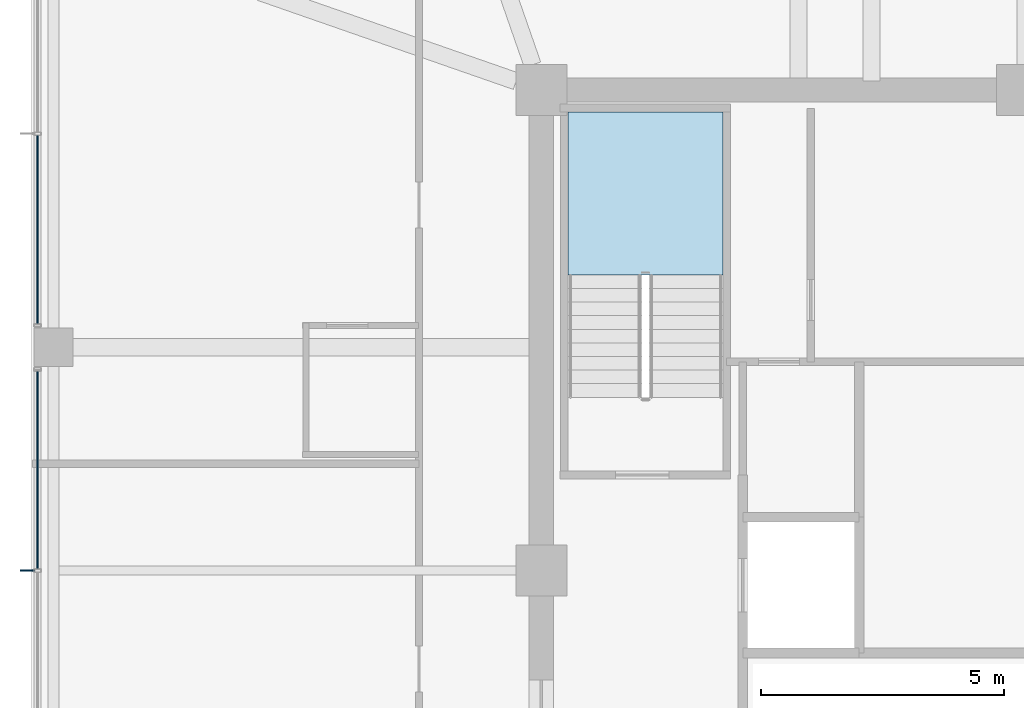
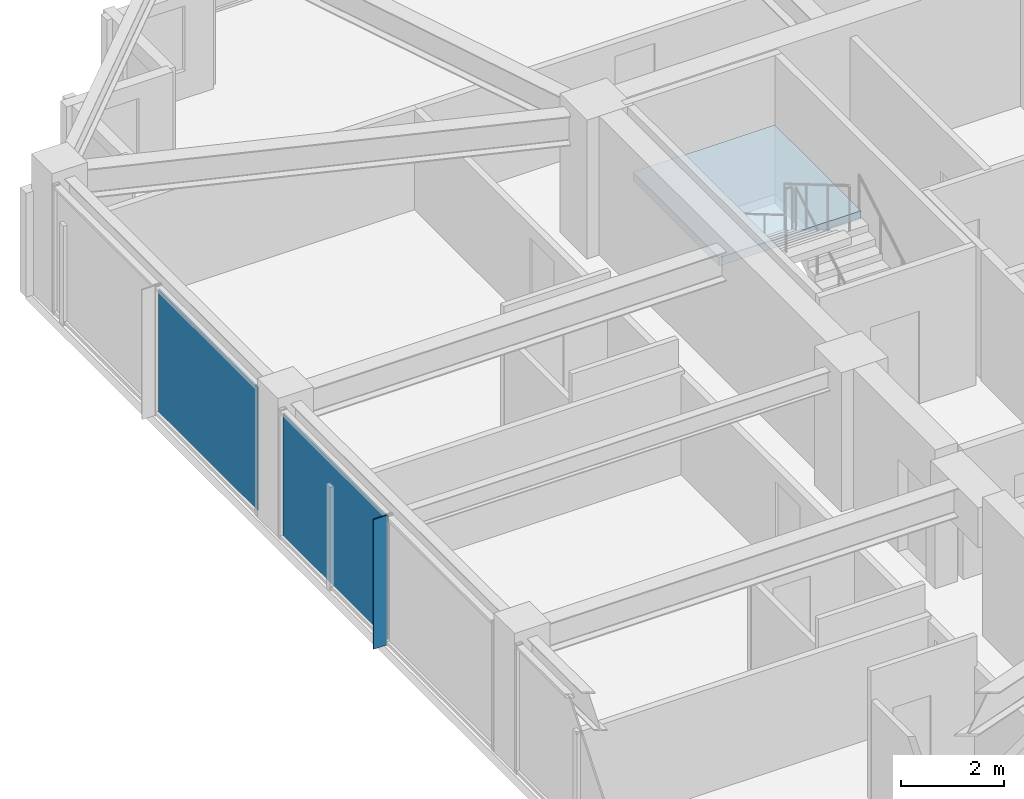
# One storey, part 25 of 36: 3 plates, 1 slab, 3 elements without a shape of their own.
"""IFC4 building model written with IfcOpenShell, lengths in metres."""

from ifc_helpers import new_model, si_unit, direction, frame, origin, origin_2d, place, context, subcontext, project, spatial, polyline, rectangle, outline, extrude, material, layer, layer_set, type_object, element, aggregate, save


model = new_model("IFC4")

# Units and contexts
model_context = context("Model", 3, precision=1e-05, world=origin(), true_north=direction((0.0, 1.0)))
body_context = subcontext(model_context, "Body", "Model", "MODEL_VIEW")
ifc_project = project(units=[si_unit("LENGTHUNIT", "METRE"), si_unit("AREAUNIT", "SQUARE_METRE"), si_unit("VOLUMEUNIT", "CUBIC_METRE"), si_unit("PLANEANGLEUNIT", "RADIAN"), si_unit("MASSUNIT", "GRAM", prefix="KILO")], contexts=[model_context])

# Site, building, storey
site_placement = place(None, origin())
site = spatial("IfcSite", under=ifc_project, at=site_placement, CompositionType="ELEMENT")
building_placement = place(site_placement, origin())
building = spatial("IfcBuilding", under=site, at=building_placement, Name="Kolvaren Belvedere", CompositionType="ELEMENT")
storey_placement = place(building_placement, frame((0.0, 0.0, 199.800048828125)))
storey = spatial("IfcBuildingStorey", under=building, at=storey_placement, Name="L58", CompositionType="ELEMENT", Elevation=199.800048828125)

# Curtain wall, plate
ifc_material_1 = material(Name="Anodised pale-metal aluminium AA 6063-T6", Category="aluminium")
curtain_wall_type = type_object("IfcCurtainWallType", Name="CW-Z5-HIGH", PredefinedType="NOTDEFINED", material=ifc_material_1)
curtain_wall_1_placement = place(storey_placement, origin())
curtain_wall_1 = element("IfcCurtainWall", 1, at=curtain_wall_1_placement, inside=storey, type_object=curtain_wall_type, Name="L58 Unitised Curtain Wall FCW-L58-W-B2", PredefinedType="NOTDEFINED")
ifc_material_2 = material(Name="Low-iron triple insulated glass", Category="glass")
ifc_layer_1 = layer(ifc_material_2, 0.028076171875)
ifc_layer_set_1 = layer_set([ifc_layer_1], Name="Low-iron triple insulated glass")
plate_type_1 = type_object("IfcPlateType", Name="CW-PNL-VIS28", PredefinedType="CURTAIN_PANEL", material=ifc_layer_set_1)
plate_1_placement = place(storey_placement, frame((-20.280029296875, 2.072509765625, 0.080078125), z_axis=(0.0, 0.0, 1.0), x_axis=(0.0, 1.0, 0.0)))
plate_1 = element("IfcPlate", 2, at=plate_1_placement, type_object=plate_type_1, Name="FCW-L58-W-B2 Vision Glazing Panel 2", PredefinedType="CURTAIN_PANEL", context=body_context, shape_type="SweptSolid", body=[
    extrude(rectangle(XDim=4.06494140625, YDim=0.028076171875, at=origin_2d()), origin(), (0.0, 0.0, 1.0), 2.919921875),
])
aggregate(curtain_wall_1, [plate_1])

curtain_wall_2_placement = place(storey_placement, origin())
curtain_wall_2 = element("IfcCurtainWall", 3, at=curtain_wall_2_placement, inside=storey, type_object=curtain_wall_type, Name="L58 Unitised Curtain Wall FCW-L58-W-B3", PredefinedType="NOTDEFINED")
plate_2_placement = place(storey_placement, frame((-20.280029296875, 7.027587890625, 0.080078125), z_axis=(0.0, 0.0, 1.0), x_axis=(0.0, 1.0, 0.0)))
plate_2 = element("IfcPlate", 4, at=plate_2_placement, type_object=plate_type_1, Name="FCW-L58-W-B3 Vision Glazing Panel 1", PredefinedType="CURTAIN_PANEL", context=body_context, shape_type="SweptSolid", body=[
    extrude(rectangle(XDim=3.864990234375, YDim=0.028076171875, at=origin_2d()), origin(), (0.0, 0.0, 1.0), 2.919921875),
])
aggregate(curtain_wall_2, [plate_2])

# Plate
ifc_material_3 = material(Name="Anodised pale-metal aluminium AA 6063-T6", Category="aluminium")
ifc_layer_2 = layer(ifc_material_3, 0.030029296875)
ifc_layer_set_2 = layer_set([ifc_layer_2], Name="Anodised pale-metal aluminium AA 6063-T6")
plate_type_2 = type_object("IfcPlateType", Name="FIN-VERT-300", PredefinedType="USERDEFINED", material=ifc_layer_set_2)
plate_3_placement = place(storey_placement, frame((-20.489990234375, 0.0, 0.0), z_axis=(0.0, 0.0, 1.0), x_axis=(1.0, 0.0, 0.0)))
element("IfcPlate", 5, at=plate_3_placement, inside=storey, type_object=plate_type_2, Name="L58 Pale-Metal Vertical Shading Fin FCW-L58-W-B2-1", ObjectType="VERTICAL FIN", PredefinedType="USERDEFINED", context=body_context, shape_type="SweptSolid", body=[
    extrude(rectangle(XDim=0.300048828125, YDim=0.030029296875, at=origin_2d()), origin(), (0.0, 0.0, 1.0), 3.080078125),
])

# Stair, slab
ifc_material_4 = material(Name="Concrete C50/60", Category="concrete")
stair_type = type_object("IfcStairType", Name="ST-CORE-1520", PredefinedType="HALF_TURN_STAIR", material=ifc_material_4)
stair_placement = place(storey_placement, origin())
stair = element("IfcStair", 6, at=stair_placement, inside=storey, type_object=stair_type, Name="L58 Protected Exit Stair ST-1", PredefinedType="HALF_TURN_STAIR")
ifc_material_5 = material(Name="Concrete C50/60", Category="concrete")
ifc_layer_3 = layer(ifc_material_5, 0.260009765625)
ifc_layer_set_3 = layer_set([ifc_layer_3], Name="Concrete C50/60")
slab_type = type_object("IfcSlabType", Name="SL-LAND-260", PredefinedType="LANDING", material=ifc_layer_set_3)
slab_placement = place(storey_placement, frame((0.0, 0.0, 1.449951171875)))
slab = element("IfcSlab", 7, at=slab_placement, type_object=slab_type, Name="ST-1 landing 1", PredefinedType="LANDING", context=body_context, shape_type="SweptSolid", body=[
    extrude(outline(polyline([(-6.159912109375, 6.090087890625), (-6.159912109375, 9.449951171875), (-9.35009765625, 9.449951171875), (-9.35009765625, 6.090087890625), (-6.159912109375, 6.090087890625)])), origin(), (0.0, 0.0, 1.0), 0.199951171875),
])
aggregate(stair, [slab])

save(model, "model.ifc")
